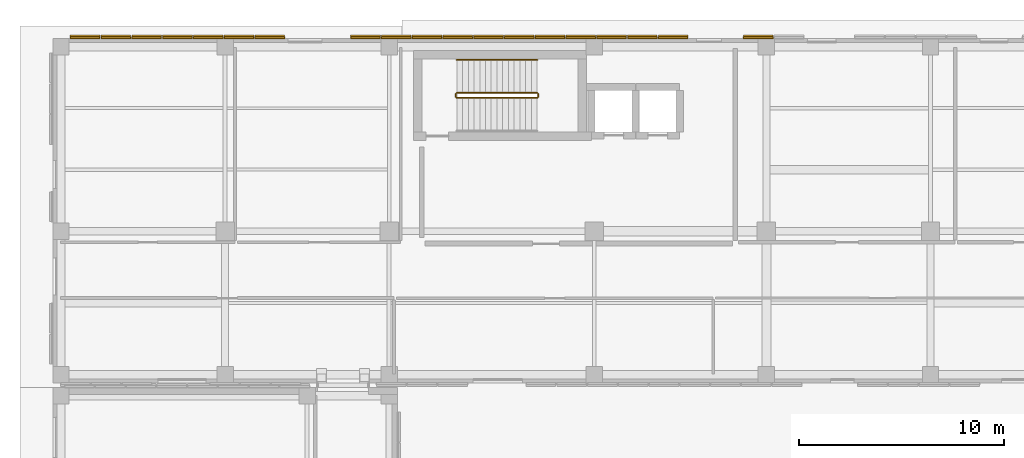
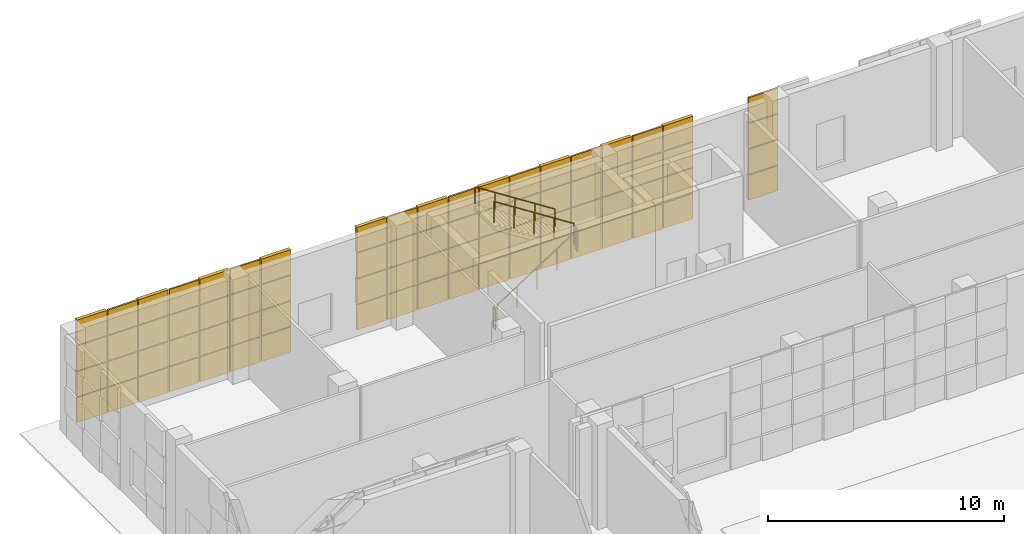
# One storey, part 35 of 40: 76 coverings, 5 railings.
"""IFC4 building model written with IfcOpenShell, lengths in metres."""

from ifc_helpers import new_model, si_unit, direction, frame, origin, origin_2d, place, context, subcontext, project, spatial, rectangle, circle, extrude, material, layer, layer_set, type_object, element, save


model = new_model("IFC4")

# Units and contexts
model_context = context("Model", 3, precision=1e-05, world=origin(), true_north=direction((0.0, 1.0)))
body_context = subcontext(model_context, "Body", "Model", "MODEL_VIEW")
ifc_project = project(units=[si_unit("LENGTHUNIT", "METRE"), si_unit("AREAUNIT", "SQUARE_METRE"), si_unit("VOLUMEUNIT", "CUBIC_METRE"), si_unit("PLANEANGLEUNIT", "RADIAN"), si_unit("MASSUNIT", "GRAM", prefix="KILO")], contexts=[model_context])

# Site, building, storey
site_placement = place(None, origin())
site = spatial("IfcSite", under=ifc_project, at=site_placement, CompositionType="ELEMENT")
building_placement = place(site_placement, origin())
building = spatial("IfcBuilding", under=site, at=building_placement, Name="Qalavern Law Courts", CompositionType="ELEMENT")
storey_placement = place(building_placement, origin())
storey = spatial("IfcBuildingStorey", under=building, at=storey_placement, Name="L00", CompositionType="ELEMENT", Elevation=0.0)

# Coverings
ifc_material_1 = material(Name="Precast concrete C40/50", Category="concrete")
ifc_layer_1 = layer(ifc_material_1, 0.06005859375)
ifc_layer_set_1 = layer_set([ifc_layer_1], Name="Precast concrete C40/50")
covering_type_1 = type_object("IfcCoveringType", Name="ENV-CLD-1", PredefinedType="CLADDING", material=ifc_layer_set_1)
covering_1_placement = place(storey_placement, frame((36.39990234375, 113.080078125, 0.050048828125), z_axis=(0.0, 0.0, 1.0), x_axis=(-1.0, 0.0, 0.0)))
element("IfcCovering", 1, at=covering_1_placement, inside=storey, type_object=covering_type_1, Name="Cast drop-relief street-base tile 1273", PredefinedType="CLADDING", context=body_context, shape_type="SweptSolid", body=[
    extrude(rectangle(XDim=1.449951171875, YDim=0.16796875, at=origin_2d()), origin(), (0.0, 0.0, 1.0), 1.294921875),
])
covering_2_placement = place(storey_placement, frame((36.39990234375, 113.0380859375, 4.054931640625), z_axis=(0.0, 0.0, 1.0), x_axis=(-1.0, 0.0, 0.0)))
element("IfcCovering", 2, at=covering_2_placement, inside=storey, type_object=covering_type_1, Name="Cast drop-relief street-base tile 1276", PredefinedType="CLADDING", context=body_context, shape_type="SweptSolid", body=[
    extrude(rectangle(XDim=1.449951171875, YDim=0.083984375, at=origin_2d()), origin(), (0.0, 0.0, 1.0), 1.294921875),
])
for number, where, z_axis, x_axis, name in (
    (3, (32.25, 113.080078125, 1.385009765625), (0.0, 0.0, 1.0), (-1.0, 0.0, 0.0), "Cast drop-relief street-base tile 1278"),
    (4, (30.75, 113.080078125, 0.050048828125), (0.0, 0.0, 1.0), (-1.0, 0.0, 0.0), "Cast drop-relief street-base tile 1281"),
):
    element("IfcCovering", number, at=place(storey_placement, frame(where, z_axis=z_axis, x_axis=x_axis)), inside=storey, type_object=covering_type_1, Name=name, PredefinedType="CLADDING", context=body_context, shape_type="SweptSolid", body=[
        extrude(rectangle(XDim=1.449951171875, YDim=0.16796875, at=origin_2d()), origin(), (0.0, 0.0, 1.0), 1.294921875),
    ])
for number, where, z_axis, x_axis, name in (
    (5, (30.75, 113.0380859375, 4.054931640625), (0.0, 0.0, 1.0), (-1.0, 0.0, 0.0), "Cast drop-relief street-base tile 1284"),
    (6, (29.25, 113.0380859375, 2.719970703125), (0.0, 0.0, 1.0), (-1.0, 0.0, 0.0), "Cast drop-relief street-base tile 1287"),
    (7, (27.75, 113.0380859375, 1.385009765625), (0.0, 0.0, 1.0), (-1.0, 0.0, 0.0), "Cast drop-relief street-base tile 1290"),
    (8, (26.25, 113.0380859375, 0.050048828125), (0.0, 0.0, 1.0), (-1.0, 0.0, 0.0), "Cast drop-relief street-base tile 1293"),
):
    element("IfcCovering", number, at=place(storey_placement, frame(where, z_axis=z_axis, x_axis=x_axis)), inside=storey, type_object=covering_type_1, Name=name, PredefinedType="CLADDING", context=body_context, shape_type="SweptSolid", body=[
        extrude(rectangle(XDim=1.449951171875, YDim=0.083984375, at=origin_2d()), origin(), (0.0, 0.0, 1.0), 1.294921875),
    ])
for number, where, z_axis, x_axis, name in (
    (9, (26.25, 113.080078125, 4.054931640625), (0.0, 0.0, 1.0), (-1.0, 0.0, 0.0), "Cast drop-relief street-base tile 1296"),
    (10, (24.75, 113.080078125, 2.719970703125), (0.0, 0.0, 1.0), (-1.0, 0.0, 0.0), "Cast drop-relief street-base tile 1299"),
    (11, (23.25, 113.080078125, 1.385009765625), (0.0, 0.0, 1.0), (-1.0, 0.0, 0.0), "Cast drop-relief street-base tile 1302"),
    (12, (21.75, 113.080078125, 0.050048828125), (0.0, 0.0, 1.0), (-1.0, 0.0, 0.0), "Cast drop-relief street-base tile 1305"),
):
    element("IfcCovering", number, at=place(storey_placement, frame(where, z_axis=z_axis, x_axis=x_axis)), inside=storey, type_object=covering_type_1, Name=name, PredefinedType="CLADDING", context=body_context, shape_type="SweptSolid", body=[
        extrude(rectangle(XDim=1.449951171875, YDim=0.16796875, at=origin_2d()), origin(), (0.0, 0.0, 1.0), 1.294921875),
    ])
for number, where, z_axis, x_axis, name in (
    (13, (21.75, 113.0380859375, 4.054931640625), (0.0, 0.0, 1.0), (-1.0, 0.0, 0.0), "Cast drop-relief street-base tile 1308"),
    (14, (20.25, 113.0380859375, 2.719970703125), (0.0, 0.0, 1.0), (-1.0, 0.0, 0.0), "Cast drop-relief street-base tile 1311"),
    (15, (18.75, 113.0380859375, 1.385009765625), (0.0, 0.0, 1.0), (-1.0, 0.0, 0.0), "Cast drop-relief street-base tile 1314"),
    (16, (17.25, 113.0380859375, 0.050048828125), (0.0, 0.0, 1.0), (-1.0, 0.0, 0.0), "Cast drop-relief street-base tile 1317"),
):
    element("IfcCovering", number, at=place(storey_placement, frame(where, z_axis=z_axis, x_axis=x_axis)), inside=storey, type_object=covering_type_1, Name=name, PredefinedType="CLADDING", context=body_context, shape_type="SweptSolid", body=[
        extrude(rectangle(XDim=1.449951171875, YDim=0.083984375, at=origin_2d()), origin(), (0.0, 0.0, 1.0), 1.294921875),
    ])
for number, where, z_axis, x_axis, name in (
    (17, (17.25, 113.080078125, 4.054931640625), (0.0, 0.0, 1.0), (-1.0, 0.0, 0.0), "Cast drop-relief street-base tile 1320"),
    (18, (12.574951171875, 113.080078125, 1.385009765625), (0.0, 0.0, 1.0), (-1.0, 0.0, 0.0), "Cast drop-relief street-base tile 1322"),
    (19, (11.074951171875, 113.080078125, 0.050048828125), (0.0, 0.0, 1.0), (-1.0, 0.0, 0.0), "Cast drop-relief street-base tile 1325"),
):
    element("IfcCovering", number, at=place(storey_placement, frame(where, z_axis=z_axis, x_axis=x_axis)), inside=storey, type_object=covering_type_1, Name=name, PredefinedType="CLADDING", context=body_context, shape_type="SweptSolid", body=[
        extrude(rectangle(XDim=1.449951171875, YDim=0.16796875, at=origin_2d()), origin(), (0.0, 0.0, 1.0), 1.294921875),
    ])
for number, where, z_axis, x_axis, name in (
    (20, (11.074951171875, 113.0380859375, 4.054931640625), (0.0, 0.0, 1.0), (-1.0, 0.0, 0.0), "Cast drop-relief street-base tile 1328"),
    (21, (9.574951171875, 113.0380859375, 2.719970703125), (0.0, 0.0, 1.0), (-1.0, 0.0, 0.0), "Cast drop-relief street-base tile 1331"),
    (22, (8.074951171875, 113.0380859375, 1.385009765625), (0.0, 0.0, 1.0), (-1.0, 0.0, 0.0), "Cast drop-relief street-base tile 1334"),
    (23, (6.574951171875, 113.0380859375, 0.050048828125), (0.0, 0.0, 1.0), (-1.0, 0.0, 0.0), "Cast drop-relief street-base tile 1337"),
):
    element("IfcCovering", number, at=place(storey_placement, frame(where, z_axis=z_axis, x_axis=x_axis)), inside=storey, type_object=covering_type_1, Name=name, PredefinedType="CLADDING", context=body_context, shape_type="SweptSolid", body=[
        extrude(rectangle(XDim=1.449951171875, YDim=0.083984375, at=origin_2d()), origin(), (0.0, 0.0, 1.0), 1.294921875),
    ])
for number, where, z_axis, x_axis, name in (
    (24, (6.574951171875, 113.080078125, 4.054931640625), (0.0, 0.0, 1.0), (-1.0, 0.0, 0.0), "Cast drop-relief street-base tile 1340"),
    (25, (5.074951171875, 113.080078125, 2.719970703125), (0.0, 0.0, 1.0), (-1.0, 0.0, 0.0), "Cast drop-relief street-base tile 1343"),
    (26, (3.574951171875, 113.080078125, 1.385009765625), (0.0, 0.0, 1.0), (-1.0, 0.0, 0.0), "Cast drop-relief street-base tile 1346"),
):
    element("IfcCovering", number, at=place(storey_placement, frame(where, z_axis=z_axis, x_axis=x_axis)), inside=storey, type_object=covering_type_1, Name=name, PredefinedType="CLADDING", context=body_context, shape_type="SweptSolid", body=[
        extrude(rectangle(XDim=1.449951171875, YDim=0.16796875, at=origin_2d()), origin(), (0.0, 0.0, 1.0), 1.294921875),
    ])
ifc_layer_2 = layer(ifc_material_1, 0.072021484375)
ifc_layer_set_2 = layer_set([ifc_layer_2], Name="Precast concrete C40/50")
covering_type_2 = type_object("IfcCoveringType", Name="ENV-CLD-2", PredefinedType="CLADDING", material=ifc_layer_set_2)
for number, where, z_axis, x_axis, name in (
    (27, (36.39990234375, 113.0380859375, 1.385009765625), (0.0, 0.0, 1.0), (-1.0, 0.0, 0.0), "Cast drop-relief street-base tile 1274"),
    (28, (32.25, 113.0380859375, 2.719970703125), (0.0, 0.0, 1.0), (-1.0, 0.0, 0.0), "Cast drop-relief street-base tile 1279"),
    (29, (30.75, 113.0380859375, 1.385009765625), (0.0, 0.0, 1.0), (-1.0, 0.0, 0.0), "Cast drop-relief street-base tile 1282"),
    (30, (29.25, 113.0380859375, 0.050048828125), (0.0, 0.0, 1.0), (-1.0, 0.0, 0.0), "Cast drop-relief street-base tile 1285"),
):
    element("IfcCovering", number, at=place(storey_placement, frame(where, z_axis=z_axis, x_axis=x_axis)), inside=storey, type_object=covering_type_2, Name=name, PredefinedType="CLADDING", context=body_context, shape_type="SweptSolid", body=[
        extrude(rectangle(XDim=1.449951171875, YDim=0.083984375, at=origin_2d()), origin(), (0.0, 0.0, 1.0), 1.294921875),
    ])
for number, where, z_axis, x_axis, name in (
    (31, (29.25, 113.080078125, 4.054931640625), (0.0, 0.0, 1.0), (-1.0, 0.0, 0.0), "Cast drop-relief street-base tile 1288"),
    (32, (27.75, 113.080078125, 2.719970703125), (0.0, 0.0, 1.0), (-1.0, 0.0, 0.0), "Cast drop-relief street-base tile 1291"),
    (33, (26.25, 113.080078125, 1.385009765625), (0.0, 0.0, 1.0), (-1.0, 0.0, 0.0), "Cast drop-relief street-base tile 1294"),
    (34, (24.75, 113.080078125, 0.050048828125), (0.0, 0.0, 1.0), (-1.0, 0.0, 0.0), "Cast drop-relief street-base tile 1297"),
):
    element("IfcCovering", number, at=place(storey_placement, frame(where, z_axis=z_axis, x_axis=x_axis)), inside=storey, type_object=covering_type_2, Name=name, PredefinedType="CLADDING", context=body_context, shape_type="SweptSolid", body=[
        extrude(rectangle(XDim=1.449951171875, YDim=0.16796875, at=origin_2d()), origin(), (0.0, 0.0, 1.0), 1.294921875),
    ])
for number, where, z_axis, x_axis, name in (
    (35, (24.75, 113.0380859375, 4.054931640625), (0.0, 0.0, 1.0), (-1.0, 0.0, 0.0), "Cast drop-relief street-base tile 1300"),
    (36, (23.25, 113.0380859375, 2.719970703125), (0.0, 0.0, 1.0), (-1.0, 0.0, 0.0), "Cast drop-relief street-base tile 1303"),
    (37, (21.75, 113.0380859375, 1.385009765625), (0.0, 0.0, 1.0), (-1.0, 0.0, 0.0), "Cast drop-relief street-base tile 1306"),
    (38, (20.25, 113.0380859375, 0.050048828125), (0.0, 0.0, 1.0), (-1.0, 0.0, 0.0), "Cast drop-relief street-base tile 1309"),
):
    element("IfcCovering", number, at=place(storey_placement, frame(where, z_axis=z_axis, x_axis=x_axis)), inside=storey, type_object=covering_type_2, Name=name, PredefinedType="CLADDING", context=body_context, shape_type="SweptSolid", body=[
        extrude(rectangle(XDim=1.449951171875, YDim=0.083984375, at=origin_2d()), origin(), (0.0, 0.0, 1.0), 1.294921875),
    ])
for number, where, z_axis, x_axis, name in (
    (39, (20.25, 113.080078125, 4.054931640625), (0.0, 0.0, 1.0), (-1.0, 0.0, 0.0), "Cast drop-relief street-base tile 1312"),
    (40, (18.75, 113.080078125, 2.719970703125), (0.0, 0.0, 1.0), (-1.0, 0.0, 0.0), "Cast drop-relief street-base tile 1315"),
    (41, (17.25, 113.080078125, 1.385009765625), (0.0, 0.0, 1.0), (-1.0, 0.0, 0.0), "Cast drop-relief street-base tile 1318"),
):
    element("IfcCovering", number, at=place(storey_placement, frame(where, z_axis=z_axis, x_axis=x_axis)), inside=storey, type_object=covering_type_2, Name=name, PredefinedType="CLADDING", context=body_context, shape_type="SweptSolid", body=[
        extrude(rectangle(XDim=1.449951171875, YDim=0.16796875, at=origin_2d()), origin(), (0.0, 0.0, 1.0), 1.294921875),
    ])
for number, where, z_axis, x_axis, name in (
    (42, (12.574951171875, 113.0380859375, 2.719970703125), (0.0, 0.0, 1.0), (-1.0, 0.0, 0.0), "Cast drop-relief street-base tile 1323"),
    (43, (11.074951171875, 113.0380859375, 1.385009765625), (0.0, 0.0, 1.0), (-1.0, 0.0, 0.0), "Cast drop-relief street-base tile 1326"),
    (44, (9.574951171875, 113.0380859375, 0.050048828125), (0.0, 0.0, 1.0), (-1.0, 0.0, 0.0), "Cast drop-relief street-base tile 1329"),
):
    element("IfcCovering", number, at=place(storey_placement, frame(where, z_axis=z_axis, x_axis=x_axis)), inside=storey, type_object=covering_type_2, Name=name, PredefinedType="CLADDING", context=body_context, shape_type="SweptSolid", body=[
        extrude(rectangle(XDim=1.449951171875, YDim=0.083984375, at=origin_2d()), origin(), (0.0, 0.0, 1.0), 1.294921875),
    ])
for number, where, z_axis, x_axis, name in (
    (45, (9.574951171875, 113.080078125, 4.054931640625), (0.0, 0.0, 1.0), (-1.0, 0.0, 0.0), "Cast drop-relief street-base tile 1332"),
    (46, (8.074951171875, 113.080078125, 2.719970703125), (0.0, 0.0, 1.0), (-1.0, 0.0, 0.0), "Cast drop-relief street-base tile 1335"),
    (47, (6.574951171875, 113.080078125, 1.385009765625), (0.0, 0.0, 1.0), (-1.0, 0.0, 0.0), "Cast drop-relief street-base tile 1338"),
    (48, (5.074951171875, 113.080078125, 0.050048828125), (0.0, 0.0, 1.0), (-1.0, 0.0, 0.0), "Cast drop-relief street-base tile 1341"),
):
    element("IfcCovering", number, at=place(storey_placement, frame(where, z_axis=z_axis, x_axis=x_axis)), inside=storey, type_object=covering_type_2, Name=name, PredefinedType="CLADDING", context=body_context, shape_type="SweptSolid", body=[
        extrude(rectangle(XDim=1.449951171875, YDim=0.16796875, at=origin_2d()), origin(), (0.0, 0.0, 1.0), 1.294921875),
    ])
for number, where, z_axis, x_axis, name in (
    (49, (5.074951171875, 113.0380859375, 4.054931640625), (0.0, 0.0, 1.0), (-1.0, 0.0, 0.0), "Cast drop-relief street-base tile 1344"),
    (50, (3.574951171875, 113.0380859375, 2.719970703125), (0.0, 0.0, 1.0), (-1.0, 0.0, 0.0), "Cast drop-relief street-base tile 1347"),
):
    element("IfcCovering", number, at=place(storey_placement, frame(where, z_axis=z_axis, x_axis=x_axis)), inside=storey, type_object=covering_type_2, Name=name, PredefinedType="CLADDING", context=body_context, shape_type="SweptSolid", body=[
        extrude(rectangle(XDim=1.449951171875, YDim=0.083984375, at=origin_2d()), origin(), (0.0, 0.0, 1.0), 1.294921875),
    ])
ifc_layer_3 = layer(ifc_material_1, 0.083984375)
ifc_layer_set_3 = layer_set([ifc_layer_3], Name="Precast concrete C40/50")
covering_type_3 = type_object("IfcCoveringType", Name="ENV-CLD-3", PredefinedType="CLADDING", material=ifc_layer_set_3)
covering_3_placement = place(storey_placement, frame((36.39990234375, 113.080078125, 2.719970703125), z_axis=(0.0, 0.0, 1.0), x_axis=(-1.0, 0.0, 0.0)))
element("IfcCovering", 51, at=covering_3_placement, inside=storey, type_object=covering_type_3, Name="Cast drop-relief street-base tile 1275", PredefinedType="CLADDING", context=body_context, shape_type="SweptSolid", body=[
    extrude(rectangle(XDim=1.449951171875, YDim=0.16796875, at=origin_2d()), origin(), (0.0, 0.0, 1.0), 1.294921875),
])
covering_4_placement = place(storey_placement, frame((32.25, 113.0380859375, 0.050048828125), z_axis=(0.0, 0.0, 1.0), x_axis=(-1.0, 0.0, 0.0)))
element("IfcCovering", 52, at=covering_4_placement, inside=storey, type_object=covering_type_3, Name="Cast drop-relief street-base tile 1277", PredefinedType="CLADDING", context=body_context, shape_type="SweptSolid", body=[
    extrude(rectangle(XDim=1.449951171875, YDim=0.083984375, at=origin_2d()), origin(), (0.0, 0.0, 1.0), 1.294921875),
])
for number, where, z_axis, x_axis, name in (
    (53, (32.25, 113.080078125, 4.054931640625), (0.0, 0.0, 1.0), (-1.0, 0.0, 0.0), "Cast drop-relief street-base tile 1280"),
    (54, (30.75, 113.080078125, 2.719970703125), (0.0, 0.0, 1.0), (-1.0, 0.0, 0.0), "Cast drop-relief street-base tile 1283"),
    (55, (29.25, 113.080078125, 1.385009765625), (0.0, 0.0, 1.0), (-1.0, 0.0, 0.0), "Cast drop-relief street-base tile 1286"),
    (56, (27.75, 113.080078125, 0.050048828125), (0.0, 0.0, 1.0), (-1.0, 0.0, 0.0), "Cast drop-relief street-base tile 1289"),
):
    element("IfcCovering", number, at=place(storey_placement, frame(where, z_axis=z_axis, x_axis=x_axis)), inside=storey, type_object=covering_type_3, Name=name, PredefinedType="CLADDING", context=body_context, shape_type="SweptSolid", body=[
        extrude(rectangle(XDim=1.449951171875, YDim=0.16796875, at=origin_2d()), origin(), (0.0, 0.0, 1.0), 1.294921875),
    ])
for number, where, z_axis, x_axis, name in (
    (57, (27.75, 113.0380859375, 4.054931640625), (0.0, 0.0, 1.0), (-1.0, 0.0, 0.0), "Cast drop-relief street-base tile 1292"),
    (58, (26.25, 113.0380859375, 2.719970703125), (0.0, 0.0, 1.0), (-1.0, 0.0, 0.0), "Cast drop-relief street-base tile 1295"),
    (59, (24.75, 113.0380859375, 1.385009765625), (0.0, 0.0, 1.0), (-1.0, 0.0, 0.0), "Cast drop-relief street-base tile 1298"),
    (60, (23.25, 113.0380859375, 0.050048828125), (0.0, 0.0, 1.0), (-1.0, 0.0, 0.0), "Cast drop-relief street-base tile 1301"),
):
    element("IfcCovering", number, at=place(storey_placement, frame(where, z_axis=z_axis, x_axis=x_axis)), inside=storey, type_object=covering_type_3, Name=name, PredefinedType="CLADDING", context=body_context, shape_type="SweptSolid", body=[
        extrude(rectangle(XDim=1.449951171875, YDim=0.083984375, at=origin_2d()), origin(), (0.0, 0.0, 1.0), 1.294921875),
    ])
for number, where, z_axis, x_axis, name in (
    (61, (23.25, 113.080078125, 4.054931640625), (0.0, 0.0, 1.0), (-1.0, 0.0, 0.0), "Cast drop-relief street-base tile 1304"),
    (62, (21.75, 113.080078125, 2.719970703125), (0.0, 0.0, 1.0), (-1.0, 0.0, 0.0), "Cast drop-relief street-base tile 1307"),
    (63, (20.25, 113.080078125, 1.385009765625), (0.0, 0.0, 1.0), (-1.0, 0.0, 0.0), "Cast drop-relief street-base tile 1310"),
    (64, (18.75, 113.080078125, 0.050048828125), (0.0, 0.0, 1.0), (-1.0, 0.0, 0.0), "Cast drop-relief street-base tile 1313"),
):
    element("IfcCovering", number, at=place(storey_placement, frame(where, z_axis=z_axis, x_axis=x_axis)), inside=storey, type_object=covering_type_3, Name=name, PredefinedType="CLADDING", context=body_context, shape_type="SweptSolid", body=[
        extrude(rectangle(XDim=1.449951171875, YDim=0.16796875, at=origin_2d()), origin(), (0.0, 0.0, 1.0), 1.294921875),
    ])
for number, where, z_axis, x_axis, name in (
    (65, (18.75, 113.0380859375, 4.054931640625), (0.0, 0.0, 1.0), (-1.0, 0.0, 0.0), "Cast drop-relief street-base tile 1316"),
    (66, (17.25, 113.0380859375, 2.719970703125), (0.0, 0.0, 1.0), (-1.0, 0.0, 0.0), "Cast drop-relief street-base tile 1319"),
    (67, (12.574951171875, 113.0380859375, 0.050048828125), (0.0, 0.0, 1.0), (-1.0, 0.0, 0.0), "Cast drop-relief street-base tile 1321"),
):
    element("IfcCovering", number, at=place(storey_placement, frame(where, z_axis=z_axis, x_axis=x_axis)), inside=storey, type_object=covering_type_3, Name=name, PredefinedType="CLADDING", context=body_context, shape_type="SweptSolid", body=[
        extrude(rectangle(XDim=1.449951171875, YDim=0.083984375, at=origin_2d()), origin(), (0.0, 0.0, 1.0), 1.294921875),
    ])
for number, where, z_axis, x_axis, name in (
    (68, (12.574951171875, 113.080078125, 4.054931640625), (0.0, 0.0, 1.0), (-1.0, 0.0, 0.0), "Cast drop-relief street-base tile 1324"),
    (69, (11.074951171875, 113.080078125, 2.719970703125), (0.0, 0.0, 1.0), (-1.0, 0.0, 0.0), "Cast drop-relief street-base tile 1327"),
    (70, (9.574951171875, 113.080078125, 1.385009765625), (0.0, 0.0, 1.0), (-1.0, 0.0, 0.0), "Cast drop-relief street-base tile 1330"),
    (71, (8.074951171875, 113.080078125, 0.050048828125), (0.0, 0.0, 1.0), (-1.0, 0.0, 0.0), "Cast drop-relief street-base tile 1333"),
):
    element("IfcCovering", number, at=place(storey_placement, frame(where, z_axis=z_axis, x_axis=x_axis)), inside=storey, type_object=covering_type_3, Name=name, PredefinedType="CLADDING", context=body_context, shape_type="SweptSolid", body=[
        extrude(rectangle(XDim=1.449951171875, YDim=0.16796875, at=origin_2d()), origin(), (0.0, 0.0, 1.0), 1.294921875),
    ])
for number, where, z_axis, x_axis, name in (
    (72, (8.074951171875, 113.0380859375, 4.054931640625), (0.0, 0.0, 1.0), (-1.0, 0.0, 0.0), "Cast drop-relief street-base tile 1336"),
    (73, (6.574951171875, 113.0380859375, 2.719970703125), (0.0, 0.0, 1.0), (-1.0, 0.0, 0.0), "Cast drop-relief street-base tile 1339"),
    (74, (5.074951171875, 113.0380859375, 1.385009765625), (0.0, 0.0, 1.0), (-1.0, 0.0, 0.0), "Cast drop-relief street-base tile 1342"),
    (75, (3.574951171875, 113.0380859375, 0.050048828125), (0.0, 0.0, 1.0), (-1.0, 0.0, 0.0), "Cast drop-relief street-base tile 1345"),
):
    element("IfcCovering", number, at=place(storey_placement, frame(where, z_axis=z_axis, x_axis=x_axis)), inside=storey, type_object=covering_type_3, Name=name, PredefinedType="CLADDING", context=body_context, shape_type="SweptSolid", body=[
        extrude(rectangle(XDim=1.449951171875, YDim=0.083984375, at=origin_2d()), origin(), (0.0, 0.0, 1.0), 1.294921875),
    ])
covering_5_placement = place(storey_placement, frame((3.574951171875, 113.080078125, 4.054931640625), z_axis=(0.0, 0.0, 1.0), x_axis=(-1.0, 0.0, 0.0)))
element("IfcCovering", 76, at=covering_5_placement, inside=storey, type_object=covering_type_3, Name="Cast drop-relief street-base tile 1348", PredefinedType="CLADDING", context=body_context, shape_type="SweptSolid", body=[
    extrude(rectangle(XDim=1.449951171875, YDim=0.16796875, at=origin_2d()), origin(), (0.0, 0.0, 1.0), 1.294921875),
])

# Railings
ifc_material_2 = material(Name="Steel S355", Category="steel")
railing_type_1 = type_object("IfcRailingType", Name="INT-GUARD-1120", PredefinedType="BALUSTRADE", material=ifc_material_2)
railing_1_placement = place(storey_placement, frame((21.699951171875, 110.10009765625, 0.179931640625)))
element("IfcRailing", 77, at=railing_1_placement, inside=storey, type_object=railing_type_1, Name="L00 ST-K3 stair guard 1", PredefinedType="BALUSTRADE", context=body_context, shape_type="SweptSolid", body=[
    extrude(circle(Radius=0.02392578125, at=origin_2d()), frame((0.0, 0.0, 1.09619140625), z_axis=(0.841186985886, 0.0, 0.540744352514), x_axis=(0.0, 1.0, 0.0)), (0.0, 0.0, 1.0), 4.660400390625),
    extrude(circle(Radius=0.02099609375, at=origin_2d()), origin(), (0.0, 0.0, 1.0), 1.072021484375),
    extrude(circle(Radius=0.02099609375, at=origin_2d()), frame((0.97998046875, 0.0, 0.6298828125)), (0.0, 0.0, 1.0), 1.072021484375),
    extrude(circle(Radius=0.02099609375, at=origin_2d()), frame((1.9599609375, 0.0, 1.260009765625)), (0.0, 0.0, 1.0), 1.072021484375),
    extrude(circle(Radius=0.02099609375, at=origin_2d()), frame((2.940185546875, 0.0, 1.89013671875)), (0.0, 0.0, 1.0), 1.072021484375),
    extrude(circle(Radius=0.02099609375, at=origin_2d()), frame((3.920166015625, 0.0, 2.52001953125)), (0.0, 0.0, 1.0), 1.072021484375),
])
railing_2_placement = place(storey_placement, frame((25.669921875, 110.14990234375, 2.699951171875)))
element("IfcRailing", 78, at=railing_2_placement, inside=storey, type_object=railing_type_1, Name="L00 ST-K3 stair guard 2", PredefinedType="BALUSTRADE", context=body_context, shape_type="SweptSolid", body=[
    extrude(circle(Radius=0.02392578125, at=origin_2d()), frame((0.0, 0.0, 1.09619140625), z_axis=(0.0, 1.0, 0.0), x_axis=(-1.0, 0.0, 0.0)), (0.0, 0.0, 1.0), 0.150146484375),
    extrude(circle(Radius=0.02099609375, at=origin_2d()), origin(), (0.0, 0.0, 1.0), 1.072021484375),
    extrude(circle(Radius=0.02099609375, at=origin_2d()), frame((0.0, 0.150146484375, 0.0)), (0.0, 0.0, 1.0), 1.072021484375),
])
railing_3_placement = place(storey_placement, frame((25.6201171875, 110.35009765625, 2.8798828125)))
element("IfcRailing", 79, at=railing_3_placement, inside=storey, type_object=railing_type_1, Name="L00 ST-K3 stair guard 3", PredefinedType="BALUSTRADE", context=body_context, shape_type="SweptSolid", body=[
    extrude(circle(Radius=0.02392578125, at=origin_2d()), frame((0.0, 0.0, 1.09619140625), z_axis=(-0.841186985886, 0.0, 0.540744352514), x_axis=(0.0, -1.0, 0.0)), (0.0, 0.0, 1.0), 4.660400390625),
    extrude(circle(Radius=0.02099609375, at=origin_2d()), origin(), (0.0, 0.0, 1.0), 1.072021484375),
    extrude(circle(Radius=0.02099609375, at=origin_2d()), frame((-0.97998046875, 0.0, 0.6298828125)), (0.0, 0.0, 1.0), 1.072021484375),
    extrude(circle(Radius=0.02099609375, at=origin_2d()), frame((-1.9599609375, 0.0, 1.260009765625)), (0.0, 0.0, 1.0), 1.072021484375),
    extrude(circle(Radius=0.02099609375, at=origin_2d()), frame((-2.940185546875, 0.0, 1.89013671875)), (0.0, 0.0, 1.0), 1.072021484375),
    extrude(circle(Radius=0.02099609375, at=origin_2d()), frame((-3.920166015625, 0.0, 2.52001953125)), (0.0, 0.0, 1.0), 1.072021484375),
])
railing_4_placement = place(storey_placement, frame((21.64990234375, 110.14990234375, 0.0)))
element("IfcRailing", 80, at=railing_4_placement, inside=storey, type_object=railing_type_1, Name="L00 ST-K3 stair guard 4", PredefinedType="BALUSTRADE", context=body_context, shape_type="SweptSolid", body=[
    extrude(circle(Radius=0.02392578125, at=origin_2d()), frame((0.0, 0.0, 1.09619140625), z_axis=(0.0, 1.0, 0.0), x_axis=(-1.0, 0.0, 0.0)), (0.0, 0.0, 1.0), 0.150146484375),
    extrude(circle(Radius=0.02099609375, at=origin_2d()), origin(), (0.0, 0.0, 1.0), 1.072021484375),
    extrude(circle(Radius=0.02099609375, at=origin_2d()), frame((0.0, 0.150146484375, 0.0)), (0.0, 0.0, 1.0), 1.072021484375),
])
railing_type_2 = type_object("IfcRailingType", Name="INT-HRAIL-920", PredefinedType="HANDRAIL", material=ifc_material_2)
railing_5_placement = place(storey_placement, frame((25.6201171875, 111.949951171875, 2.8798828125)))
element("IfcRailing", 81, at=railing_5_placement, inside=storey, type_object=railing_type_2, Name="L00 ST-K3 stair handrail 2", PredefinedType="HANDRAIL", context=body_context, shape_type="SweptSolid", body=[
    extrude(circle(Radius=0.02392578125, at=origin_2d()), frame((0.0, 0.0, 0.8759765625), z_axis=(-0.841186985886, 0.0, 0.540744352514), x_axis=(0.0, -1.0, 0.0)), (0.0, 0.0, 1.0), 4.660400390625),
    extrude(circle(Radius=0.02099609375, at=origin_2d()), origin(), (0.0, 0.0, 1.0), 0.851806640625),
    extrude(circle(Radius=0.02099609375, at=origin_2d()), frame((-0.97998046875, 0.0, 0.6298828125)), (0.0, 0.0, 1.0), 0.851806640625),
    extrude(circle(Radius=0.02099609375, at=origin_2d()), frame((-1.9599609375, 0.0, 1.260009765625)), (0.0, 0.0, 1.0), 0.851806640625),
    extrude(circle(Radius=0.02099609375, at=origin_2d()), frame((-2.940185546875, 0.0, 1.89013671875)), (0.0, 0.0, 1.0), 0.851806640625),
    extrude(circle(Radius=0.02099609375, at=origin_2d()), frame((-3.920166015625, 0.0, 2.52001953125)), (0.0, 0.0, 1.0), 0.851806640625),
])

save(model, "model.ifc")
